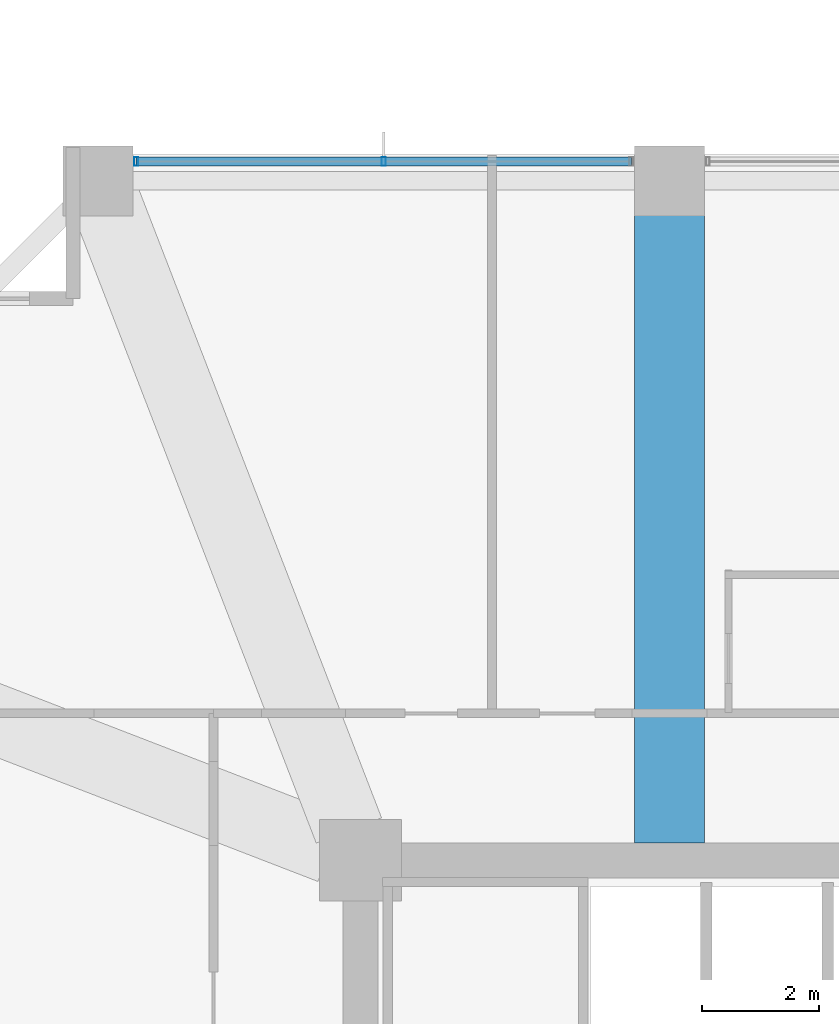
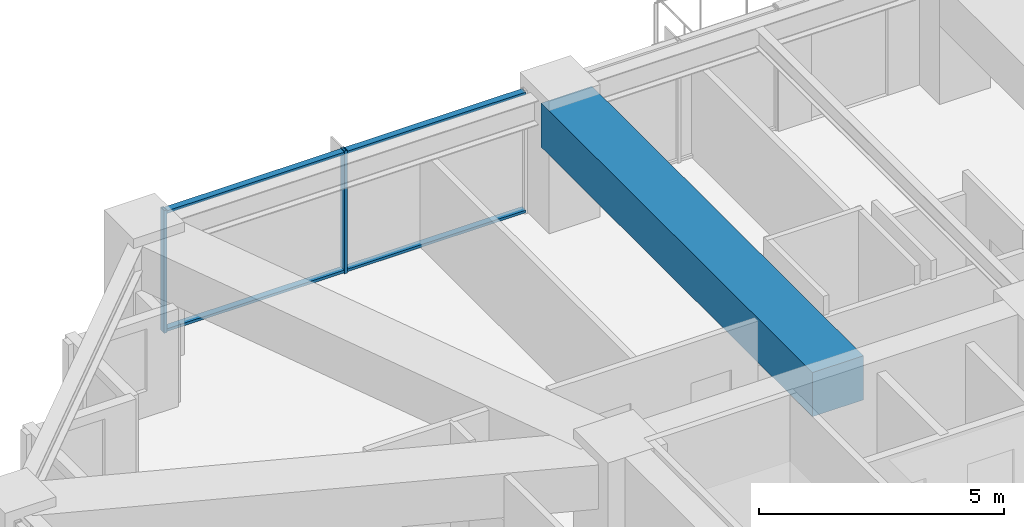
# One storey, part 21 of 39: 4 members, 1 beam, 1 element without a shape of its own.
"""IFC4 building model written with IfcOpenShell, lengths in metres."""

from ifc_helpers import new_model, si_unit, direction, frame, origin, origin_2d, place, context, subcontext, project, spatial, rectangle, hollow_rectangle, extrude, material, material_profile, profile_set, type_object, element, aggregate, save


model = new_model("IFC4")

# Units and contexts
model_context = context("Model", 3, precision=1e-05, world=origin(), true_north=direction((0.0, 1.0)))
body_context = subcontext(model_context, "Body", "Model", "MODEL_VIEW")
ifc_project = project(units=[si_unit("LENGTHUNIT", "METRE"), si_unit("AREAUNIT", "SQUARE_METRE"), si_unit("VOLUMEUNIT", "CUBIC_METRE"), si_unit("PLANEANGLEUNIT", "RADIAN"), si_unit("MASSUNIT", "GRAM", prefix="KILO")], contexts=[model_context])

# Site, building, storey
site_placement = place(None, origin())
site = spatial("IfcSite", under=ifc_project, at=site_placement, CompositionType="ELEMENT")
building_placement = place(site_placement, origin())
building = spatial("IfcBuilding", under=site, at=building_placement, Name="Kolvaren Belvedere", CompositionType="ELEMENT")
storey_placement = place(building_placement, frame((0.0, 0.0, 33.699951171875)))
storey = spatial("IfcBuildingStorey", under=building, at=storey_placement, Name="L09", CompositionType="ELEMENT", Elevation=33.699951171875)

# Beam
ifc_material_1 = material(Name="Concrete C50/60", Category="concrete")
ifc_material_profile_1 = material_profile(ifc_material_1, rectangle(XDim=1.199951171875, YDim=1.10009765625, at=origin_2d()), Name="RC 1200X1100")
ifc_profile_set_1 = profile_set([ifc_material_profile_1], Name="Concrete C50/60")
beam_type = type_object("IfcBeamType", Name="BM-TG-1100", PredefinedType="BEAM", material=ifc_profile_set_1)
beam_placement = place(storey_placement, frame((-4.60009765625, 10.199951171875, 2.510009765625), z_axis=(0.0, 1.0, 0.0), x_axis=(-1.0, 0.0, 0.0)))
element("IfcBeam", 1, at=beam_placement, inside=storey, type_object=beam_type, Name="L09 North Radial Girder M", PredefinedType="BEAM", context=body_context, shape_type="SweptSolid", body=[
    extrude(rectangle(XDim=1.199951171875, YDim=1.10009765625, at=origin_2d()), origin(), (0.0, 0.0, 1.0), 11.080078125),
])

# Curtain wall, members
ifc_material_2 = material(Name="Anodised pale-metal aluminium AA 6063-T6", Category="aluminium")
curtain_wall_type = type_object("IfcCurtainWallType", Name="CW-Z1-LOW", PredefinedType="NOTDEFINED", material=ifc_material_2)
curtain_wall_placement = place(storey_placement, origin())
curtain_wall = element("IfcCurtainWall", 2, at=curtain_wall_placement, inside=storey, type_object=curtain_wall_type, Name="L09 Unitised Curtain Wall FCW-L09-N1-B1", PredefinedType="NOTDEFINED")
ifc_material_3 = material(Name="Anodised pale-metal aluminium AA 6063-T6", Category="aluminium")
ifc_material_profile_2 = material_profile(ifc_material_3, hollow_rectangle(XDim=0.070068359375, YDim=0.14990234375, WallThickness=0.004150390625, at=origin_2d()), Name="ALU-MUL-150X70")
ifc_profile_set_2 = profile_set([ifc_material_profile_2], Name="Anodised pale-metal aluminium AA 6063-T6")
member_type_1 = type_object("IfcMemberType", Name="CW-MUL-150", PredefinedType="MULLION", material=ifc_profile_set_2)
member_1_placement = place(storey_placement, frame((-13.7451171875, 21.8798828125, 0.0), z_axis=(0.0, 0.0, 1.0), x_axis=(1.0, 0.0, 0.0)))
member_1 = element("IfcMember", 3, at=member_1_placement, type_object=member_type_1, Name="FCW-L09-N1-B1 Unitised Mullion 1", PredefinedType="MULLION", context=body_context, shape_type="SweptSolid", body=[
    extrude(hollow_rectangle(XDim=0.070068359375, YDim=0.14990234375, WallThickness=0.004150390625, at=origin_2d()), origin(), (0.0, 0.0, 1.0), 3.06005859375),
])
member_2_placement = place(storey_placement, frame((-9.5, 21.8798828125, 0.0), z_axis=(0.0, 0.0, 1.0), x_axis=(1.0, 0.0, 0.0)))
member_2 = element("IfcMember", 4, at=member_2_placement, type_object=member_type_1, Name="FCW-L09-N1-B1 Unitised Mullion 2", PredefinedType="MULLION", context=body_context, shape_type="SweptSolid", body=[
    extrude(hollow_rectangle(XDim=0.070068359375, YDim=0.14990234375, WallThickness=0.004150390625, at=origin_2d()), origin(), (0.0, 0.0, 1.0), 3.06005859375),
])
ifc_material_4 = material(Name="Anodised pale-metal aluminium AA 6063-T6", Category="aluminium")
ifc_material_profile_3 = material_profile(ifc_material_4, hollow_rectangle(XDim=0.06494140625, YDim=0.14990234375, WallThickness=0.00390625, at=origin_2d()), Name="ALU-TRN-150X65")
ifc_profile_set_3 = profile_set([ifc_material_profile_3], Name="Anodised pale-metal aluminium AA 6063-T6")
member_type_2 = type_object("IfcMemberType", Name="CW-TRN-150", PredefinedType="USERDEFINED", material=ifc_profile_set_3)
member_3_placement = place(storey_placement, frame((-13.7451171875, 21.8798828125, 0.06005859375), z_axis=(1.0, 0.0, 0.0), x_axis=(0.0, 0.0, 1.0)))
member_3 = element("IfcMember", 5, at=member_3_placement, type_object=member_type_2, Name="FCW-L09-N1-B1 Sill Transom", ObjectType="TRANSOM", PredefinedType="USERDEFINED", context=body_context, shape_type="SweptSolid", body=[
    extrude(hollow_rectangle(XDim=0.06494140625, YDim=0.14990234375, WallThickness=0.00390625, at=origin_2d()), origin(), (0.0, 0.0, 1.0), 8.490234375),
])
member_4_placement = place(storey_placement, frame((-13.7451171875, 21.8798828125, 3.0), z_axis=(1.0, 0.0, 0.0), x_axis=(0.0, 0.0, 1.0)))
member_4 = element("IfcMember", 6, at=member_4_placement, type_object=member_type_2, Name="FCW-L09-N1-B1 Head Transom", ObjectType="TRANSOM", PredefinedType="USERDEFINED", context=body_context, shape_type="SweptSolid", body=[
    extrude(hollow_rectangle(XDim=0.06494140625, YDim=0.14990234375, WallThickness=0.00390625, at=origin_2d()), origin(), (0.0, 0.0, 1.0), 8.490234375),
])
aggregate(curtain_wall, [member_1, member_2, member_3, member_4])

save(model, "model.ifc")
